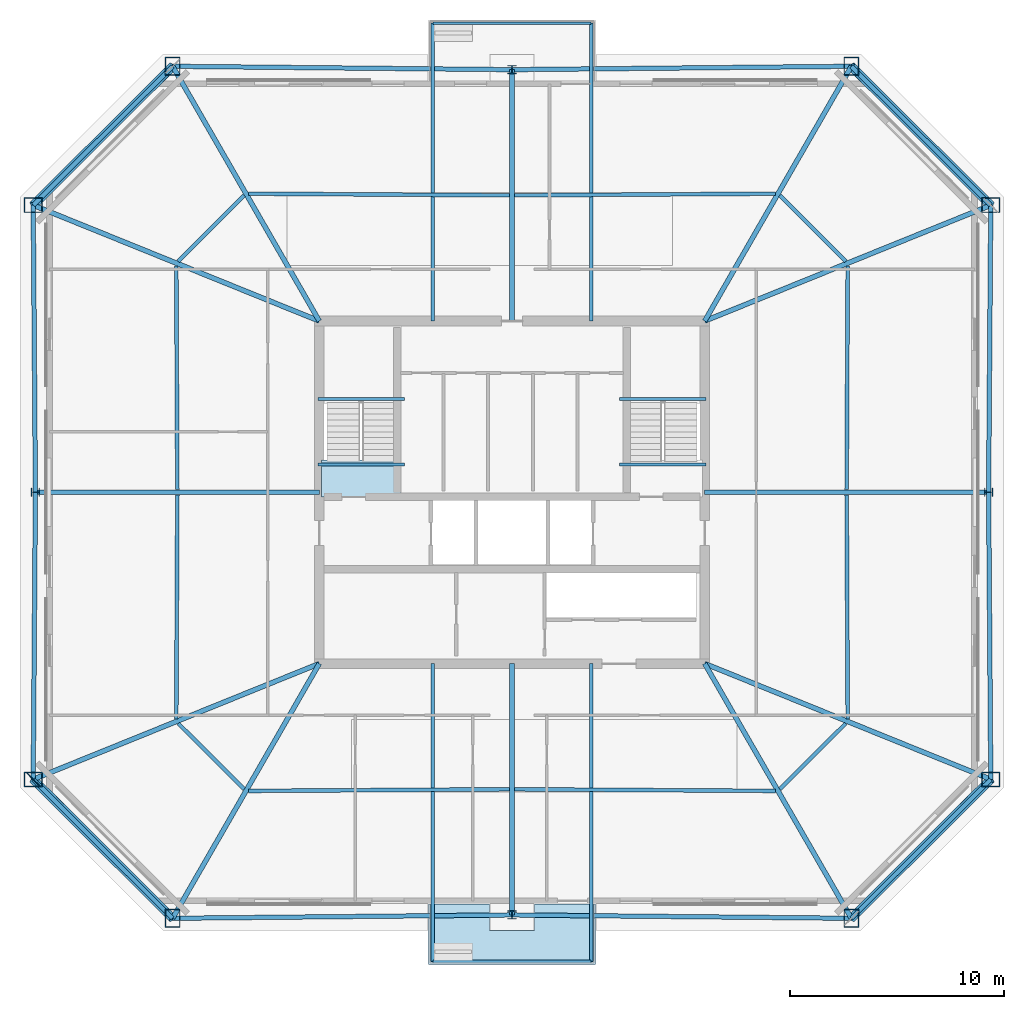
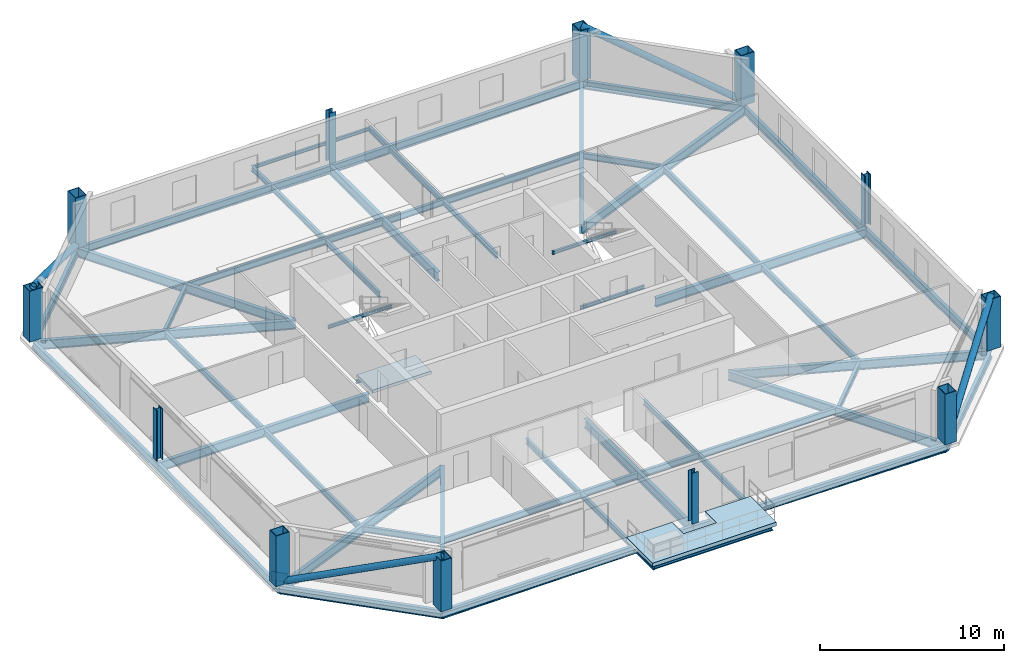
# One storey, part 1 of 7: 46 beams, 12 columns, 4 members, 2 slabs, 1 plate, 1 element without a shape of its own.
"""IFC4 building model written with IfcOpenShell, lengths in metres."""

from ifc_helpers import new_model, si_unit, direction, frame, origin, origin_2d, place, context, subcontext, project, spatial, polyline, rectangle, hollow_rectangle, hollow_circle, i_section, outline, extrude, material, layer, layer_set, material_profile, profile_set, type_object, element, aggregate, save


model = new_model("IFC4")

# Units and contexts
model_context = context("Model", 3, precision=1e-05, world=origin(), true_north=direction((0.0, 1.0)))
body_context = subcontext(model_context, "Body", "Model", "MODEL_VIEW")
ifc_project = project(units=[si_unit("LENGTHUNIT", "METRE"), si_unit("AREAUNIT", "SQUARE_METRE"), si_unit("VOLUMEUNIT", "CUBIC_METRE"), si_unit("PLANEANGLEUNIT", "RADIAN"), si_unit("MASSUNIT", "GRAM", prefix="KILO")], contexts=[model_context])

# Site, building, storey
site_placement = place(None, origin())
site = spatial("IfcSite", under=ifc_project, at=site_placement, CompositionType="ELEMENT")
building_placement = place(site_placement, origin())
building = spatial("IfcBuilding", under=site, at=building_placement, Name="Caelvoria Tower", CompositionType="ELEMENT")
storey_placement = place(building_placement, frame((0.0, 0.0, 191.39990234375)))
storey = spatial("IfcBuildingStorey", under=building, at=storey_placement, Name="L50", CompositionType="ELEMENT", Elevation=191.39990234375)

# Columns
ifc_material_1 = material(Name="Structural Steel ASTM A572 Gr.50", Category="steel")
ifc_material_profile_1 = material_profile(ifc_material_1, hollow_rectangle(XDim=0.699951171875, YDim=0.85009765625, WallThickness=0.0400390625, at=origin_2d()), Name="Structural Steel ASTM A572 Gr.50")
ifc_profile_set_1 = profile_set([ifc_material_profile_1], Name="BOX850X700X40 - Structural Steel ASTM A572 Gr.50")
column_type_1 = type_object("IfcColumnType", Name="Mega Box Column 850x700x40", PredefinedType="COLUMN", material=ifc_profile_set_1)
for number, where, z_axis, x_axis, name in (
    (1, (30.148681640625, 12.10302734375, 0.0), (0.0, 0.0, 1.0), (1.0, 0.0, 0.0), "Perimeter Megaframe Column L50-P00"),
    (2, (61.851318359375, 12.10302734375, 0.0), (0.0, 0.0, 1.0), (1.0, 0.0, 0.0), "Perimeter Megaframe Column L50-P02"),
    (3, (68.362548828125, 18.59033203125, 0.0), (0.0, 0.0, 1.0), (0.0, 1.0, 0.0), "Perimeter Megaframe Column L50-P03"),
    (4, (68.362548828125, 45.40966796875, 0.0), (0.0, 0.0, 1.0), (0.0, 1.0, 0.0), "Perimeter Megaframe Column L50-P05"),
    (5, (61.851318359375, 51.89697265625, 0.0), (0.0, 0.0, 1.0), (1.0, 0.0, 0.0), "Perimeter Megaframe Column L50-P06"),
    (6, (30.148681640625, 51.89697265625, 0.0), (0.0, 0.0, 1.0), (1.0, 0.0, 0.0), "Perimeter Megaframe Column L50-P08"),
    (7, (23.637451171875, 45.40966796875, 0.0), (0.0, 0.0, 1.0), (0.0, 1.0, 0.0), "Perimeter Megaframe Column L50-P09"),
    (8, (23.637451171875, 18.59033203125, 0.0), (0.0, 0.0, 1.0), (0.0, 1.0, 0.0), "Perimeter Megaframe Column L50-P11"),
):
    element("IfcColumn", number, at=place(storey_placement, frame(where, z_axis=z_axis, x_axis=x_axis)), inside=storey, type_object=column_type_1, Name=name, PredefinedType="COLUMN", context=body_context, shape_type="SweptSolid", body=[
        extrude(hollow_rectangle(XDim=0.699951171875, YDim=0.85009765625, WallThickness=0.0400390625, at=origin_2d()), origin(), (0.0, 0.0, 1.0), 3.373046875),
    ])
ifc_material_2 = material(Name="Structural Steel ASTM A992 Gr.50", Category="steel")
ifc_material_profile_2 = material_profile(ifc_material_2, i_section(OverallWidth=0.40087890625, OverallDepth=0.39892578125, WebThickness=0.02490234375, FlangeThickness=0.03955078125, FilletRadius=0.02490234375, at=origin_2d()), Name="Structural Steel ASTM A992 Gr.50")
ifc_profile_set_2 = profile_set([ifc_material_profile_2], Name="W360X314 - Structural Steel ASTM A992 Gr.50")
column_type_2 = type_object("IfcColumnType", Name="Upper Frame Column W360X314", PredefinedType="COLUMN", material=ifc_profile_set_2)
for number, where, z_axis, x_axis, name in (
    (9, (46.0, 12.260009765625, 0.0), (0.0, 0.0, 1.0), (1.0, 0.0, 0.0), "Perimeter Megaframe Column L50-P01"),
    (10, (68.260009765625, 32.0, 0.0), (0.0, 0.0, 1.0), (0.0, 1.0, 0.0), "Perimeter Megaframe Column L50-P04"),
    (11, (46.0, 51.739990234375, 0.0), (0.0, 0.0, 1.0), (1.0, 0.0, 0.0), "Perimeter Megaframe Column L50-P07"),
    (12, (23.739990234375, 32.0, 0.0), (0.0, 0.0, 1.0), (0.0, 1.0, 0.0), "Perimeter Megaframe Column L50-P10"),
):
    element("IfcColumn", number, at=place(storey_placement, frame(where, z_axis=z_axis, x_axis=x_axis)), inside=storey, type_object=column_type_2, Name=name, PredefinedType="COLUMN", context=body_context, shape_type="SweptSolid", body=[
        extrude(i_section(OverallWidth=0.40087890625, OverallDepth=0.39892578125, WebThickness=0.02490234375, FlangeThickness=0.03955078125, FilletRadius=0.02490234375, at=origin_2d()), origin(), (0.0, 0.0, 1.0), 3.373046875),
    ])

# Beams
ifc_material_profile_3 = material_profile(ifc_material_2, i_section(OverallWidth=0.134033203125, OverallDepth=0.2099609375, WebThickness=0.00634765625, FlangeThickness=0.01025390625, FilletRadius=0.010009765625, at=origin_2d()), Name="Structural Steel ASTM A992 Gr.50")
ifc_profile_set_3 = profile_set([ifc_material_profile_3], Name="W200X31.3 - Structural Steel ASTM A992 Gr.50")
beam_type_1 = type_object("IfcBeamType", Name="Canopy Edge Trim Beam W200X31.3", PredefinedType="BEAM", material=ifc_profile_set_3)
for number, where, z_axis, x_axis, name in (
    (13, (42.300048828125, 10.090087890625, -0.428955078125), (1.0, 0.0, 0.0), (0.0, 1.0, 0.0), "Tree Balcony Edge Beam TB-L50-S"),
    (14, (42.300048828125, 53.909912109375, -0.428955078125), (1.0, 0.0, 0.0), (0.0, 1.0, 0.0), "Tree Balcony Edge Beam TB-L50-N"),
):
    element("IfcBeam", number, at=place(storey_placement, frame(where, z_axis=z_axis, x_axis=x_axis)), inside=storey, type_object=beam_type_1, Name=name, PredefinedType="BEAM", context=body_context, shape_type="SweptSolid", body=[
        extrude(i_section(OverallWidth=0.134033203125, OverallDepth=0.2099609375, WebThickness=0.00634765625, FlangeThickness=0.01025390625, FilletRadius=0.010009765625, at=origin_2d()), origin(), (0.0, 0.0, 1.0), 7.39990234375),
    ])
for number, where, z_axis, x_axis, name in (
    (15, (36.929931640625, 36.35009765625, 1.4951171875), (1.0, 0.0, 0.0), (0.0, 1.0, 0.0), "ST-01 Half-Landing Support Beam L50"),
    (16, (36.929931640625, 33.300048828125, -0.304931640625), (1.0, 0.0, 0.0), (0.0, 1.0, 0.0), "ST-01 Floor-Landing Support Beam L50"),
    (17, (51.030029296875, 36.35009765625, 1.4951171875), (1.0, 0.0, 0.0), (0.0, 1.0, 0.0), "ST-02 Half-Landing Support Beam L50"),
    (18, (51.030029296875, 33.300048828125, -0.304931640625), (1.0, 0.0, 0.0), (0.0, 1.0, 0.0), "ST-02 Floor-Landing Support Beam L50"),
):
    element("IfcBeam", number, at=place(storey_placement, frame(where, z_axis=z_axis, x_axis=x_axis)), inside=storey, type_object=beam_type_1, Name=name, PredefinedType="BEAM", context=body_context, shape_type="SweptSolid", body=[
        extrude(i_section(OverallWidth=0.134033203125, OverallDepth=0.2099609375, WebThickness=0.00634765625, FlangeThickness=0.01025390625, FilletRadius=0.010009765625, at=origin_2d()), origin(), (0.0, 0.0, 1.0), 4.0400390625),
    ])
ifc_material_profile_4 = material_profile(ifc_material_2, i_section(OverallWidth=0.22802734375, OverallDepth=0.60302734375, WebThickness=0.010498046875, FlangeThickness=0.014892578125, FilletRadius=0.01806640625, at=origin_2d()), Name="Structural Steel ASTM A992 Gr.50")
ifc_profile_set_4 = profile_set([ifc_material_profile_4], Name="W610X101 - Structural Steel ASTM A992 Gr.50")
beam_type_2 = type_object("IfcBeamType", Name="Primary Floor Girder W610X101", PredefinedType="BEAM", material=ifc_profile_set_4)
beam_1_placement = place(storey_placement, frame((37.0, 24.0, -0.5263671875), z_axis=(-0.499049029046, -0.866573751396, 0.0), x_axis=(0.866573751396, -0.499049029046, 0.0)))
element("IfcBeam", 19, at=beam_1_placement, inside=storey, type_object=beam_type_2, Name="Primary Floor Girder L50-00", PredefinedType="BEAM", context=body_context, shape_type="SweptSolid", body=[
    extrude(i_section(OverallWidth=0.22802734375, OverallDepth=0.60302734375, WebThickness=0.010498046875, FlangeThickness=0.014892578125, FilletRadius=0.01806640625, at=origin_2d()), origin(), (0.0, 0.0, 1.0), 13.728759765625),
])
beam_2_placement = place(storey_placement, frame((46.0, 24.0, -0.5263671875), z_axis=(0.0, -1.0, 0.0), x_axis=(1.0, 0.0, 0.0)))
element("IfcBeam", 20, at=beam_2_placement, inside=storey, type_object=beam_type_2, Name="Primary Floor Girder L50-01", PredefinedType="BEAM", context=body_context, shape_type="SweptSolid", body=[
    extrude(i_section(OverallWidth=0.22802734375, OverallDepth=0.60302734375, WebThickness=0.010498046875, FlangeThickness=0.014892578125, FilletRadius=0.01806640625, at=origin_2d()), origin(), (0.0, 0.0, 1.0), 11.739990234375),
])
beam_3_placement = place(storey_placement, frame((55.0, 24.0, -0.5263671875), z_axis=(0.499049029046, -0.866573751396, 0.0), x_axis=(0.866573751396, 0.499049029046, 0.0)))
element("IfcBeam", 21, at=beam_3_placement, inside=storey, type_object=beam_type_2, Name="Primary Floor Girder L50-02", PredefinedType="BEAM", context=body_context, shape_type="SweptSolid", body=[
    extrude(i_section(OverallWidth=0.22802734375, OverallDepth=0.60302734375, WebThickness=0.010498046875, FlangeThickness=0.014892578125, FilletRadius=0.01806640625, at=origin_2d()), origin(), (0.0, 0.0, 1.0), 13.728759765625),
])
beam_4_placement = place(storey_placement, frame((55.0, 24.0, -0.5263671875), z_axis=(0.92692227025, -0.375253387613, 0.0), x_axis=(0.375253387613, 0.92692227025, 0.0)))
element("IfcBeam", 22, at=beam_4_placement, inside=storey, type_object=beam_type_2, Name="Primary Floor Girder L50-03", PredefinedType="BEAM", context=body_context, shape_type="SweptSolid", body=[
    extrude(i_section(OverallWidth=0.22802734375, OverallDepth=0.60302734375, WebThickness=0.010498046875, FlangeThickness=0.014892578125, FilletRadius=0.01806640625, at=origin_2d()), origin(), (0.0, 0.0, 1.0), 14.416015625),
])
beam_5_placement = place(storey_placement, frame((55.0, 32.0, -0.5263671875), z_axis=(1.0, 0.0, 0.0), x_axis=(0.0, 1.0, 0.0)))
element("IfcBeam", 23, at=beam_5_placement, inside=storey, type_object=beam_type_2, Name="Primary Floor Girder L50-04", PredefinedType="BEAM", context=body_context, shape_type="SweptSolid", body=[
    extrude(i_section(OverallWidth=0.22802734375, OverallDepth=0.60302734375, WebThickness=0.010498046875, FlangeThickness=0.014892578125, FilletRadius=0.01806640625, at=origin_2d()), origin(), (0.0, 0.0, 1.0), 13.260009765625),
])
beam_6_placement = place(storey_placement, frame((55.0, 40.0, -0.5263671875), z_axis=(0.92692227025, 0.375253387613, 0.0), x_axis=(-0.375253387613, 0.92692227025, 0.0)))
element("IfcBeam", 24, at=beam_6_placement, inside=storey, type_object=beam_type_2, Name="Primary Floor Girder L50-05", PredefinedType="BEAM", context=body_context, shape_type="SweptSolid", body=[
    extrude(i_section(OverallWidth=0.22802734375, OverallDepth=0.60302734375, WebThickness=0.010498046875, FlangeThickness=0.014892578125, FilletRadius=0.01806640625, at=origin_2d()), origin(), (0.0, 0.0, 1.0), 14.416015625),
])
beam_7_placement = place(storey_placement, frame((55.0, 40.0, -0.5263671875), z_axis=(0.499049029046, 0.866573751396, 0.0), x_axis=(-0.866573751396, 0.499049029046, 0.0)))
element("IfcBeam", 25, at=beam_7_placement, inside=storey, type_object=beam_type_2, Name="Primary Floor Girder L50-06", PredefinedType="BEAM", context=body_context, shape_type="SweptSolid", body=[
    extrude(i_section(OverallWidth=0.22802734375, OverallDepth=0.60302734375, WebThickness=0.010498046875, FlangeThickness=0.014892578125, FilletRadius=0.01806640625, at=origin_2d()), origin(), (0.0, 0.0, 1.0), 13.728759765625),
])
beam_8_placement = place(storey_placement, frame((46.0, 40.0, -0.5263671875), z_axis=(0.0, 1.0, 0.0), x_axis=(-1.0, 0.0, 0.0)))
element("IfcBeam", 26, at=beam_8_placement, inside=storey, type_object=beam_type_2, Name="Primary Floor Girder L50-07", PredefinedType="BEAM", context=body_context, shape_type="SweptSolid", body=[
    extrude(i_section(OverallWidth=0.22802734375, OverallDepth=0.60302734375, WebThickness=0.010498046875, FlangeThickness=0.014892578125, FilletRadius=0.01806640625, at=origin_2d()), origin(), (0.0, 0.0, 1.0), 11.739990234375),
])
beam_9_placement = place(storey_placement, frame((37.0, 40.0, -0.5263671875), z_axis=(-0.499049029046, 0.866573751396, 0.0), x_axis=(-0.866573751396, -0.499049029046, 0.0)))
element("IfcBeam", 27, at=beam_9_placement, inside=storey, type_object=beam_type_2, Name="Primary Floor Girder L50-08", PredefinedType="BEAM", context=body_context, shape_type="SweptSolid", body=[
    extrude(i_section(OverallWidth=0.22802734375, OverallDepth=0.60302734375, WebThickness=0.010498046875, FlangeThickness=0.014892578125, FilletRadius=0.01806640625, at=origin_2d()), origin(), (0.0, 0.0, 1.0), 13.728759765625),
])
beam_10_placement = place(storey_placement, frame((37.0, 40.0, -0.5263671875), z_axis=(-0.92692227025, 0.375253387613, 0.0), x_axis=(-0.375253387613, -0.92692227025, 0.0)))
element("IfcBeam", 28, at=beam_10_placement, inside=storey, type_object=beam_type_2, Name="Primary Floor Girder L50-09", PredefinedType="BEAM", context=body_context, shape_type="SweptSolid", body=[
    extrude(i_section(OverallWidth=0.22802734375, OverallDepth=0.60302734375, WebThickness=0.010498046875, FlangeThickness=0.014892578125, FilletRadius=0.01806640625, at=origin_2d()), origin(), (0.0, 0.0, 1.0), 14.416015625),
])
beam_11_placement = place(storey_placement, frame((37.0, 32.0, -0.5263671875), z_axis=(-1.0, 0.0, 0.0), x_axis=(0.0, -1.0, 0.0)))
element("IfcBeam", 29, at=beam_11_placement, inside=storey, type_object=beam_type_2, Name="Primary Floor Girder L50-10", PredefinedType="BEAM", context=body_context, shape_type="SweptSolid", body=[
    extrude(i_section(OverallWidth=0.22802734375, OverallDepth=0.60302734375, WebThickness=0.010498046875, FlangeThickness=0.014892578125, FilletRadius=0.01806640625, at=origin_2d()), origin(), (0.0, 0.0, 1.0), 13.260009765625),
])
beam_12_placement = place(storey_placement, frame((37.0, 24.0, -0.5263671875), z_axis=(-0.92692227025, -0.375253387613, 0.0), x_axis=(0.375253387613, -0.92692227025, 0.0)))
element("IfcBeam", 30, at=beam_12_placement, inside=storey, type_object=beam_type_2, Name="Primary Floor Girder L50-11", PredefinedType="BEAM", context=body_context, shape_type="SweptSolid", body=[
    extrude(i_section(OverallWidth=0.22802734375, OverallDepth=0.60302734375, WebThickness=0.010498046875, FlangeThickness=0.014892578125, FilletRadius=0.01806640625, at=origin_2d()), origin(), (0.0, 0.0, 1.0), 14.416015625),
])
ifc_material_profile_5 = material_profile(ifc_material_2, i_section(OverallWidth=0.177978515625, OverallDepth=0.406982421875, WebThickness=0.0078125, FlangeThickness=0.0126953125, FilletRadius=0.013916015625, at=origin_2d()), Name="Structural Steel ASTM A992 Gr.50")
ifc_profile_set_5 = profile_set([ifc_material_profile_5], Name="W410X60 - Structural Steel ASTM A992 Gr.50")
beam_type_3 = type_object("IfcBeamType", Name="Secondary Floor Beam W410X60", PredefinedType="BEAM", material=ifc_profile_set_5)
for number, where, z_axis, x_axis, name in (
    (31, (33.69921875, 18.05224609375, -0.428466796875), (0.999980053599, 0.006316043409, 0.0), (-0.006316043409, 0.999980053599, 0.0), "Secondary Floor Beam L50-00"),
    (32, (46.125, 18.129150390625, -0.428466796875), (0.999980053599, -0.006316043409, 0.0), (0.006316043409, 0.999980053599, 0.0), "Secondary Floor Beam L50-01"),
):
    element("IfcBeam", number, at=place(storey_placement, frame(where, z_axis=z_axis, x_axis=x_axis)), inside=storey, type_object=beam_type_3, Name=name, PredefinedType="BEAM", context=body_context, shape_type="SweptSolid", body=[
        extrude(i_section(OverallWidth=0.177978515625, OverallDepth=0.406982421875, WebThickness=0.0078125, FlangeThickness=0.0126953125, FilletRadius=0.013916015625, at=origin_2d()), origin(), (0.0, 0.0, 1.0), 12.176025390625),
    ])
beam_13_placement = place(storey_placement, frame((58.514404296875, 18.1396484375, -0.428466796875), z_axis=(0.708369794619, 0.705841507756, 0.0), x_axis=(-0.705841507756, 0.708369794619, 0.0)))
element("IfcBeam", 33, at=beam_13_placement, inside=storey, type_object=beam_type_3, Name="Secondary Floor Beam L50-02", PredefinedType="BEAM", context=body_context, shape_type="SweptSolid", body=[
    extrude(i_section(OverallWidth=0.177978515625, OverallDepth=0.406982421875, WebThickness=0.0078125, FlangeThickness=0.0126953125, FilletRadius=0.013916015625, at=origin_2d()), origin(), (0.0, 0.0, 1.0), 4.345458984375),
])
for number, where, z_axis, x_axis, name in (
    (34, (61.6806640625, 21.420166015625, -0.428466796875), (-0.004787092242, 0.999988541808, 0.0), (-0.999988541808, -0.004787092242, 0.0), "Secondary Floor Beam L50-03"),
    (35, (61.630615234375, 32.125, -0.428466796875), (0.004787092242, 0.999988541808, 0.0), (-0.999988541808, 0.004787092242, 0.0), "Secondary Floor Beam L50-04"),
):
    element("IfcBeam", number, at=place(storey_placement, frame(where, z_axis=z_axis, x_axis=x_axis)), inside=storey, type_object=beam_type_3, Name=name, PredefinedType="BEAM", context=body_context, shape_type="SweptSolid", body=[
        extrude(i_section(OverallWidth=0.177978515625, OverallDepth=0.406982421875, WebThickness=0.0078125, FlangeThickness=0.0126953125, FilletRadius=0.013916015625, at=origin_2d()), origin(), (0.0, 0.0, 1.0), 10.454833984375),
    ])
beam_14_placement = place(storey_placement, frame((61.592529296875, 42.793212890625, -0.428466796875), z_axis=(-0.708369794619, 0.705841507756, 0.0), x_axis=(-0.705841507756, -0.708369794619, 0.0)))
element("IfcBeam", 36, at=beam_14_placement, inside=storey, type_object=beam_type_3, Name="Secondary Floor Beam L50-05", PredefinedType="BEAM", context=body_context, shape_type="SweptSolid", body=[
    extrude(i_section(OverallWidth=0.177978515625, OverallDepth=0.406982421875, WebThickness=0.0078125, FlangeThickness=0.0126953125, FilletRadius=0.013916015625, at=origin_2d()), origin(), (0.0, 0.0, 1.0), 4.345458984375),
])
for number, where, z_axis, x_axis, name in (
    (37, (58.30078125, 45.94775390625, -0.428466796875), (-0.999980053599, -0.006316043409, 0.0), (0.006316043409, -0.999980053599, 0.0), "Secondary Floor Beam L50-06"),
    (38, (45.875, 45.870849609375, -0.428466796875), (-0.999980053599, 0.006316043409, 0.0), (-0.006316043409, -0.999980053599, 0.0), "Secondary Floor Beam L50-07"),
):
    element("IfcBeam", number, at=place(storey_placement, frame(where, z_axis=z_axis, x_axis=x_axis)), inside=storey, type_object=beam_type_3, Name=name, PredefinedType="BEAM", context=body_context, shape_type="SweptSolid", body=[
        extrude(i_section(OverallWidth=0.177978515625, OverallDepth=0.406982421875, WebThickness=0.0078125, FlangeThickness=0.0126953125, FilletRadius=0.013916015625, at=origin_2d()), origin(), (0.0, 0.0, 1.0), 12.176025390625),
    ])
beam_15_placement = place(storey_placement, frame((33.485595703125, 45.8603515625, -0.428466796875), z_axis=(-0.708369794619, -0.705841507756, 0.0), x_axis=(0.705841507756, -0.708369794619, 0.0)))
element("IfcBeam", 39, at=beam_15_placement, inside=storey, type_object=beam_type_3, Name="Secondary Floor Beam L50-08", PredefinedType="BEAM", context=body_context, shape_type="SweptSolid", body=[
    extrude(i_section(OverallWidth=0.177978515625, OverallDepth=0.406982421875, WebThickness=0.0078125, FlangeThickness=0.0126953125, FilletRadius=0.013916015625, at=origin_2d()), origin(), (0.0, 0.0, 1.0), 4.345458984375),
])
for number, where, z_axis, x_axis, name in (
    (40, (30.3193359375, 42.579833984375, -0.428466796875), (0.004787092242, -0.999988541808, 0.0), (0.999988541808, 0.004787092242, 0.0), "Secondary Floor Beam L50-09"),
    (41, (30.369384765625, 31.875, -0.428466796875), (-0.004787092242, -0.999988541808, 0.0), (0.999988541808, -0.004787092242, 0.0), "Secondary Floor Beam L50-10"),
):
    element("IfcBeam", number, at=place(storey_placement, frame(where, z_axis=z_axis, x_axis=x_axis)), inside=storey, type_object=beam_type_3, Name=name, PredefinedType="BEAM", context=body_context, shape_type="SweptSolid", body=[
        extrude(i_section(OverallWidth=0.177978515625, OverallDepth=0.406982421875, WebThickness=0.0078125, FlangeThickness=0.0126953125, FilletRadius=0.013916015625, at=origin_2d()), origin(), (0.0, 0.0, 1.0), 10.454833984375),
    ])
beam_16_placement = place(storey_placement, frame((30.407470703125, 21.206787109375, -0.428466796875), z_axis=(0.708369794619, -0.705841507756, 0.0), x_axis=(0.705841507756, 0.708369794619, 0.0)))
element("IfcBeam", 42, at=beam_16_placement, inside=storey, type_object=beam_type_3, Name="Secondary Floor Beam L50-11", PredefinedType="BEAM", context=body_context, shape_type="SweptSolid", body=[
    extrude(i_section(OverallWidth=0.177978515625, OverallDepth=0.406982421875, WebThickness=0.0078125, FlangeThickness=0.0126953125, FilletRadius=0.013916015625, at=origin_2d()), origin(), (0.0, 0.0, 1.0), 4.345458984375),
])
ifc_material_profile_6 = material_profile(ifc_material_2, i_section(OverallWidth=0.1708984375, OverallDepth=0.35498046875, WebThickness=0.007080078125, FlangeThickness=0.01171875, FilletRadius=0.012939453125, at=origin_2d()), Name="Structural Steel ASTM A992 Gr.50")
ifc_profile_set_6 = profile_set([ifc_material_profile_6], Name="W360X51 - Structural Steel ASTM A992 Gr.50")
beam_type_4 = type_object("IfcBeamType", Name="Tree Balcony Cantilever Beam W360X51", PredefinedType="BEAM", material=ifc_profile_set_6)
for number, where, z_axis, x_axis, name in (
    (43, (42.300048828125, 24.0, -0.428955078125), (0.0, -1.0, 0.0), (1.0, 0.0, 0.0), "Tree Balcony Cantilever Beam TB-L50-S L"),
    (44, (49.699951171875, 24.0, -0.428955078125), (0.0, -1.0, 0.0), (1.0, 0.0, 0.0), "Tree Balcony Cantilever Beam TB-L50-S R"),
    (45, (42.300048828125, 40.0, -0.428955078125), (0.0, 1.0, 0.0), (-1.0, 0.0, 0.0), "Tree Balcony Cantilever Beam TB-L50-N L"),
    (46, (49.699951171875, 40.0, -0.428955078125), (0.0, 1.0, 0.0), (-1.0, 0.0, 0.0), "Tree Balcony Cantilever Beam TB-L50-N R"),
):
    element("IfcBeam", number, at=place(storey_placement, frame(where, z_axis=z_axis, x_axis=x_axis)), inside=storey, type_object=beam_type_4, Name=name, PredefinedType="BEAM", context=body_context, shape_type="SweptSolid", body=[
        extrude(i_section(OverallWidth=0.1708984375, OverallDepth=0.35498046875, WebThickness=0.007080078125, FlangeThickness=0.01171875, FilletRadius=0.012939453125, at=origin_2d()), origin(), (0.0, 0.0, 1.0), 13.909912109375),
    ])

# Members
ifc_material_profile_7 = material_profile(ifc_material_1, hollow_circle(Radius=0.202880859375, WallThickness=0.01611328125, at=origin_2d()), Name="Structural Steel ASTM A572 Gr.50")
ifc_profile_set_7 = profile_set([ifc_material_profile_7], Name="CHS406X16 - Structural Steel ASTM A572 Gr.50")
member_type = type_object("IfcMemberType", Name="Upper Perimeter Mega Brace CHS406X16", PredefinedType="BRACE", material=ifc_profile_set_7)
for number, where, z_axis, x_axis, name in (
    (47, (61.851318359375, 12.10302734375, 0.0), (0.664993606761, 0.662550060699, 0.344689599545), (-0.705804047962, 0.708407118739, 0.0), "Perimeter Chamfer Mega Brace L50 SE"),
    (48, (68.362548828125, 45.40966796875, 0.0), (-0.664993606761, 0.662550060699, 0.344689599545), (-0.705804047962, -0.708407118739, 0.0), "Perimeter Chamfer Mega Brace L50 NE"),
    (49, (30.148681640625, 51.89697265625, 0.0), (-0.664993606761, -0.662550060699, 0.344689599545), (0.705804047962, -0.708407118739, 0.0), "Perimeter Chamfer Mega Brace L50 NW"),
    (50, (23.637451171875, 18.59033203125, 0.0), (0.664993606761, -0.662550060699, 0.344689599545), (0.705804047962, 0.708407118739, 0.0), "Perimeter Chamfer Mega Brace L50 SW"),
):
    element("IfcMember", number, at=place(storey_placement, frame(where, z_axis=z_axis, x_axis=x_axis)), inside=storey, type_object=member_type, Name=name, PredefinedType="BRACE", context=body_context, shape_type="SweptSolid", body=[
        extrude(hollow_circle(Radius=0.202880859375, WallThickness=0.01611328125, at=origin_2d()), origin(), (0.0, 0.0, 1.0), 9.79150390625),
    ])

# Beams
ifc_material_profile_8 = material_profile(ifc_material_2, i_section(OverallWidth=0.208984375, OverallDepth=0.532958984375, WebThickness=0.01025390625, FlangeThickness=0.015625, FilletRadius=0.01611328125, at=origin_2d()), Name="Structural Steel ASTM A992 Gr.50")
ifc_profile_set_8 = profile_set([ifc_material_profile_8], Name="W530X92 - Structural Steel ASTM A992 Gr.50")
beam_type_5 = type_object("IfcBeamType", Name="Upper Zone Spandrel W530X92", PredefinedType="BEAM", material=ifc_profile_set_8)
for number, where, z_axis, x_axis, name in (
    (51, (30.148681640625, 12.10302734375, -0.491455078125), (0.999950964644, 0.009902944388, 0.0), (-0.009902944388, 0.999950964644, 0.0), "Perimeter Spandrel Girder L50-00"),
    (52, (46.0, 12.260009765625, -0.491455078125), (0.999950964644, -0.009902944388, 0.0), (0.009902944388, 0.999950964644, 0.0), "Perimeter Spandrel Girder L50-01"),
):
    element("IfcBeam", number, at=place(storey_placement, frame(where, z_axis=z_axis, x_axis=x_axis)), inside=storey, type_object=beam_type_5, Name=name, PredefinedType="BEAM", context=body_context, shape_type="SweptSolid", body=[
        extrude(i_section(OverallWidth=0.208984375, OverallDepth=0.532958984375, WebThickness=0.01025390625, FlangeThickness=0.015625, FilletRadius=0.01611328125, at=origin_2d()), origin(), (0.0, 0.0, 1.0), 15.85205078125),
    ])
beam_17_placement = place(storey_placement, frame((61.851318359375, 12.10302734375, -0.491455078125), z_axis=(0.708407118739, 0.705804047962, 0.0), x_axis=(-0.705804047962, 0.708407118739, 0.0)))
element("IfcBeam", 53, at=beam_17_placement, inside=storey, type_object=beam_type_5, Name="Perimeter Spandrel Girder L50-02", PredefinedType="BEAM", context=body_context, shape_type="SweptSolid", body=[
    extrude(i_section(OverallWidth=0.208984375, OverallDepth=0.532958984375, WebThickness=0.01025390625, FlangeThickness=0.015625, FilletRadius=0.01611328125, at=origin_2d()), origin(), (0.0, 0.0, 1.0), 9.19140625),
])
for number, where, z_axis, x_axis, name in (
    (54, (68.362548828125, 18.59033203125, -0.491455078125), (-0.007646428314, 0.99997076564, 0.0), (-0.99997076564, -0.007646428314, 0.0), "Perimeter Spandrel Girder L50-03"),
    (55, (68.260009765625, 32.0, -0.491455078125), (0.007646428314, 0.99997076564, 0.0), (-0.99997076564, 0.007646428314, 0.0), "Perimeter Spandrel Girder L50-04"),
):
    element("IfcBeam", number, at=place(storey_placement, frame(where, z_axis=z_axis, x_axis=x_axis)), inside=storey, type_object=beam_type_5, Name=name, PredefinedType="BEAM", context=body_context, shape_type="SweptSolid", body=[
        extrude(i_section(OverallWidth=0.208984375, OverallDepth=0.532958984375, WebThickness=0.01025390625, FlangeThickness=0.015625, FilletRadius=0.01611328125, at=origin_2d()), origin(), (0.0, 0.0, 1.0), 13.41015625),
    ])
beam_18_placement = place(storey_placement, frame((68.362548828125, 45.40966796875, -0.491455078125), z_axis=(-0.708407118739, 0.705804047962, 0.0), x_axis=(-0.705804047962, -0.708407118739, 0.0)))
element("IfcBeam", 56, at=beam_18_placement, inside=storey, type_object=beam_type_5, Name="Perimeter Spandrel Girder L50-05", PredefinedType="BEAM", context=body_context, shape_type="SweptSolid", body=[
    extrude(i_section(OverallWidth=0.208984375, OverallDepth=0.532958984375, WebThickness=0.01025390625, FlangeThickness=0.015625, FilletRadius=0.01611328125, at=origin_2d()), origin(), (0.0, 0.0, 1.0), 9.19140625),
])
for number, where, z_axis, x_axis, name in (
    (57, (61.851318359375, 51.89697265625, -0.491455078125), (-0.999950964644, -0.009902944388, 0.0), (0.009902944388, -0.999950964644, 0.0), "Perimeter Spandrel Girder L50-06"),
    (58, (46.0, 51.739990234375, -0.491455078125), (-0.999950964644, 0.009902944388, 0.0), (-0.009902944388, -0.999950964644, 0.0), "Perimeter Spandrel Girder L50-07"),
):
    element("IfcBeam", number, at=place(storey_placement, frame(where, z_axis=z_axis, x_axis=x_axis)), inside=storey, type_object=beam_type_5, Name=name, PredefinedType="BEAM", context=body_context, shape_type="SweptSolid", body=[
        extrude(i_section(OverallWidth=0.208984375, OverallDepth=0.532958984375, WebThickness=0.01025390625, FlangeThickness=0.015625, FilletRadius=0.01611328125, at=origin_2d()), origin(), (0.0, 0.0, 1.0), 15.85205078125),
    ])
beam_19_placement = place(storey_placement, frame((30.148681640625, 51.89697265625, -0.491455078125), z_axis=(-0.708407118739, -0.705804047962, 0.0), x_axis=(0.705804047962, -0.708407118739, 0.0)))
element("IfcBeam", 59, at=beam_19_placement, inside=storey, type_object=beam_type_5, Name="Perimeter Spandrel Girder L50-08", PredefinedType="BEAM", context=body_context, shape_type="SweptSolid", body=[
    extrude(i_section(OverallWidth=0.208984375, OverallDepth=0.532958984375, WebThickness=0.01025390625, FlangeThickness=0.015625, FilletRadius=0.01611328125, at=origin_2d()), origin(), (0.0, 0.0, 1.0), 9.19140625),
])
for number, where, z_axis, x_axis, name in (
    (60, (23.637451171875, 45.40966796875, -0.491455078125), (0.007646428314, -0.99997076564, 0.0), (0.99997076564, 0.007646428314, 0.0), "Perimeter Spandrel Girder L50-09"),
    (61, (23.739990234375, 32.0, -0.491455078125), (-0.007646428314, -0.99997076564, 0.0), (0.99997076564, -0.007646428314, 0.0), "Perimeter Spandrel Girder L50-10"),
):
    element("IfcBeam", number, at=place(storey_placement, frame(where, z_axis=z_axis, x_axis=x_axis)), inside=storey, type_object=beam_type_5, Name=name, PredefinedType="BEAM", context=body_context, shape_type="SweptSolid", body=[
        extrude(i_section(OverallWidth=0.208984375, OverallDepth=0.532958984375, WebThickness=0.01025390625, FlangeThickness=0.015625, FilletRadius=0.01611328125, at=origin_2d()), origin(), (0.0, 0.0, 1.0), 13.41015625),
    ])
beam_20_placement = place(storey_placement, frame((23.637451171875, 18.59033203125, -0.491455078125), z_axis=(0.708407118739, -0.705804047962, 0.0), x_axis=(0.705804047962, 0.708407118739, 0.0)))
element("IfcBeam", 62, at=beam_20_placement, inside=storey, type_object=beam_type_5, Name="Perimeter Spandrel Girder L50-11", PredefinedType="BEAM", context=body_context, shape_type="SweptSolid", body=[
    extrude(i_section(OverallWidth=0.208984375, OverallDepth=0.532958984375, WebThickness=0.01025390625, FlangeThickness=0.015625, FilletRadius=0.01611328125, at=origin_2d()), origin(), (0.0, 0.0, 1.0), 9.19140625),
])

# Plate
ifc_layer_1 = layer(ifc_material_1, 0.0400390625, Name="Structural Steel ASTM A572 Gr.50")
ifc_layer_set_1 = layer_set([ifc_layer_1], Name="Megaframe Node Gusset Plate 900x600x40 - Structural Steel ASTM A572 Gr.50")
plate_type = type_object("IfcPlateType", Name="Megaframe Node Gusset Plate 900x600x40", PredefinedType="USERDEFINED", material=ifc_layer_set_1)
plate_placement = place(storey_placement, frame((23.637451171875, 18.59033203125, 0.02001953125), z_axis=(0.0, 0.0, 1.0), x_axis=(0.708405129544, -0.705806044488, 0.0)))
element("IfcPlate", 63, at=plate_placement, inside=storey, type_object=plate_type, Name="Chamfer Mega Brace Gusset L50 SW", ObjectType="GUSSET_PLATE", PredefinedType="USERDEFINED", context=body_context, shape_type="SweptSolid", body=[
    extrude(rectangle(XDim=0.89990234375, YDim=0.0400390625, at=origin_2d()), origin(), (0.0, 0.0, 1.0), 0.60009765625),
])

# Stair, slab
ifc_material_3 = material(Name="Concrete C40/50", Category="concrete")
stair_type = type_object("IfcStairType", Name="Core Smokeproof Dogleg Stair Concrete C40/50", PredefinedType="HALF_TURN_STAIR", material=ifc_material_3)
stair_placement = place(storey_placement, origin())
stair = element("IfcStair", 64, at=stair_placement, inside=storey, type_object=stair_type, Name="ST-01 Smokeproof Exit Stair L50", PredefinedType="HALF_TURN_STAIR")
ifc_layer_2 = layer(ifc_material_3, 0.199951171875, Name="Concrete C40/50")
ifc_layer_set_2 = layer_set([ifc_layer_2], Name="Stair Half and Floor Landing Slab 200 Concrete C40/50 - Concrete C40/50")
slab_type_1 = type_object("IfcSlabType", Name="Stair Half and Floor Landing Slab 200 Concrete C40/50", PredefinedType="LANDING", material=ifc_layer_set_2)
slab_1_placement = place(storey_placement, frame((0.0, 0.0, -0.199951171875)))
slab_1 = element("IfcSlab", 65, at=slab_1_placement, type_object=slab_type_1, Name="ST-01 landing 1", PredefinedType="LANDING", context=body_context, shape_type="SweptSolid", body=[
    extrude(outline(polyline([(37.10009765625, 31.77001953125), (40.800048828125, 31.77001953125), (40.800048828125, 33.5), (37.10009765625, 33.5), (37.10009765625, 31.77001953125)])), origin(), (0.0, 0.0, 1.0), 0.199951171875),
])
aggregate(stair, [slab_1])

# Slab
ifc_material_4 = material(Name="Concrete C45/55", Category="concrete")
ifc_layer_3 = layer(ifc_material_4, 0.25, Name="Concrete C45/55")
ifc_layer_set_3 = layer_set([ifc_layer_3], Name="Tree Balcony Structural Planter Slab 250 - Concrete C45/55")
slab_type_2 = type_object("IfcSlabType", Name="Tree Balcony Structural Planter Slab 250", PredefinedType="FLOOR", material=ifc_layer_set_3)
slab_2_placement = place(storey_placement, frame((0.0, 0.0, -0.25)))
element("IfcSlab", 66, at=slab_2_placement, inside=storey, type_object=slab_type_2, Name="Tree Balcony Slab TB-L50-S", PredefinedType="FLOOR", context=body_context, shape_type="SweptSolid", body=[
    extrude(outline(polyline([(49.89990234375, 11.5400390625), (49.89990234375, 12.780029296875), (47.0400390625, 12.780029296875), (47.0400390625, 11.5400390625), (44.9599609375, 11.5400390625), (44.9599609375, 12.780029296875), (42.10009765625, 12.780029296875), (42.10009765625, 11.5400390625), (42.10009765625, 9.93994140625), (49.89990234375, 9.93994140625), (49.89990234375, 11.5400390625)])), origin(), (0.0, 0.0, 1.0), 0.25),
])

save(model, "model.ifc")
